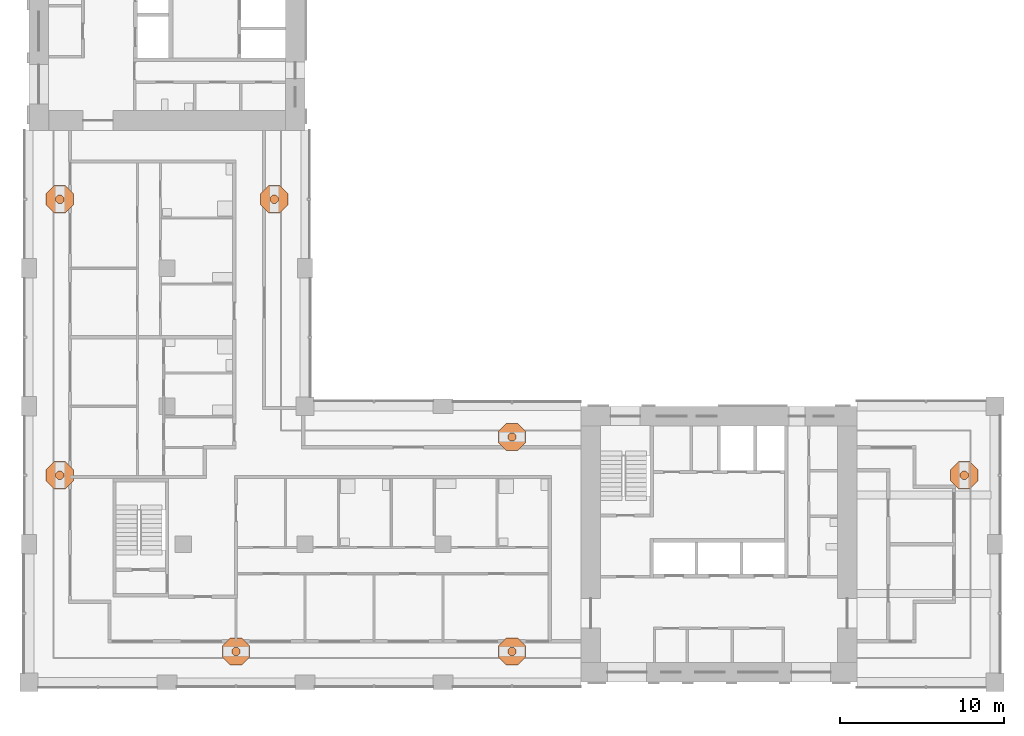
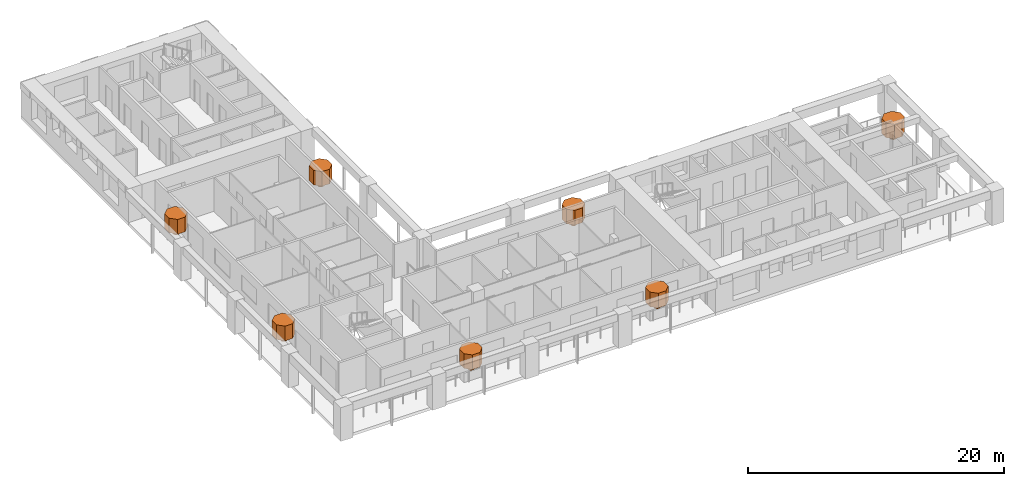
# One storey, part 13 of 13: 14 geographic elements.
"""IFC4 building model written with IfcOpenShell, lengths in metres."""

from ifc_helpers import new_model, si_unit, direction, frame, origin, place, context, subcontext, project, spatial, polyline, outline, extrude, material, element, save


model = new_model("IFC4")

# Units and contexts
model_context = context("Model", 3, precision=1e-05, world=origin(), true_north=direction((0.0, 1.0)))
body_context = subcontext(model_context, "Body", "Model", "MODEL_VIEW")
ifc_project = project(units=[si_unit("LENGTHUNIT", "METRE"), si_unit("AREAUNIT", "SQUARE_METRE"), si_unit("VOLUMEUNIT", "CUBIC_METRE"), si_unit("PLANEANGLEUNIT", "RADIAN"), si_unit("MASSUNIT", "GRAM", prefix="KILO")], contexts=[model_context])

# Site, building, storey
site_placement = place(None, origin())
site = spatial("IfcSite", under=ifc_project, at=site_placement, CompositionType="ELEMENT")
building_placement = place(site_placement, origin())
building = spatial("IfcBuilding", under=site, at=building_placement, Name="Vermilion Gate Residences", CompositionType="ELEMENT")
storey_placement = place(building_placement, frame((0.0, 0.0, 154.699951171875)))
storey = spatial("IfcBuildingStorey", under=building, at=storey_placement, Name="L39", CompositionType="ELEMENT", Elevation=154.699951171875)

# Geographic elements
ifc_material = material(Name="Foliage")
geographic_element_1_placement = place(storey_placement, frame((0.0, 0.0, 0.900146484375)))
element("IfcGeographicElement", 1, at=geographic_element_1_placement, inside=storey, material=ifc_material, Name="Tree (maple)", ObjectType="TREE", PredefinedType="USERDEFINED", context=body_context, shape_type="SweptSolid", body=[
    extrude(outline(polyline([(21.254150390625, 10.380126953125), (21.105224609375, 10.529052734375), (20.894775390625, 10.529052734375), (20.745849609375, 10.380126953125), (20.745849609375, 10.169921875), (20.894775390625, 10.02099609375), (21.105224609375, 10.02099609375), (21.254150390625, 10.169921875), (21.254150390625, 10.380126953125)])), origin(), (0.0, 0.0, 1.0), 0.52001953125),
])
geographic_element_2_placement = place(storey_placement, frame((0.0, 0.0, 1.420166015625)))
element("IfcGeographicElement", 2, at=geographic_element_2_placement, inside=storey, material=ifc_material, Name="Tree crown (maple)", ObjectType="TREE", PredefinedType="USERDEFINED", context=body_context, shape_type="SweptSolid", body=[
    extrude(outline(polyline([(21.83154296875, 10.619384765625), (21.344482421875, 11.1064453125), (20.655517578125, 11.1064453125), (20.16845703125, 10.619384765625), (20.16845703125, 9.9306640625), (20.655517578125, 9.443603515625), (21.344482421875, 9.443603515625), (21.83154296875, 9.9306640625), (21.83154296875, 10.619384765625)])), origin(), (0.0, 0.0, 1.0), 1.39990234375),
])
geographic_element_3_placement = place(storey_placement, frame((0.0, 0.0, 0.900146484375)))
element("IfcGeographicElement", 3, at=geographic_element_3_placement, inside=storey, material=ifc_material, Name="Tree (black pine)", ObjectType="TREE", PredefinedType="USERDEFINED", context=body_context, shape_type="SweptSolid", body=[
    extrude(outline(polyline([(38.05419921875, 10.380126953125), (37.9052734375, 10.529052734375), (37.69482421875, 10.529052734375), (37.5458984375, 10.380126953125), (37.5458984375, 10.169921875), (37.69482421875, 10.02099609375), (37.9052734375, 10.02099609375), (38.05419921875, 10.169921875), (38.05419921875, 10.380126953125)])), origin(), (0.0, 0.0, 1.0), 0.52001953125),
])
geographic_element_4_placement = place(storey_placement, frame((0.0, 0.0, 1.420166015625)))
element("IfcGeographicElement", 4, at=geographic_element_4_placement, inside=storey, material=ifc_material, Name="Tree crown (black pine)", ObjectType="TREE", PredefinedType="USERDEFINED", context=body_context, shape_type="SweptSolid", body=[
    extrude(outline(polyline([(38.631591796875, 10.619384765625), (38.144287109375, 11.1064453125), (37.45556640625, 11.1064453125), (36.968505859375, 10.619384765625), (36.968505859375, 9.9306640625), (37.45556640625, 9.443603515625), (38.144287109375, 9.443603515625), (38.631591796875, 9.9306640625), (38.631591796875, 10.619384765625)])), origin(), (0.0, 0.0, 1.0), 1.39990234375),
])
geographic_element_5_placement = place(storey_placement, frame((0.0, 0.0, 0.900146484375)))
element("IfcGeographicElement", 5, at=geographic_element_5_placement, inside=storey, material=ifc_material, Name="Tree (maple)", ObjectType="TREE", PredefinedType="USERDEFINED", context=body_context, shape_type="SweptSolid", body=[
    extrude(outline(polyline([(65.5791015625, 21.105224609375), (65.43017578125, 21.254150390625), (65.2197265625, 21.254150390625), (65.07080078125, 21.105224609375), (65.07080078125, 20.894775390625), (65.2197265625, 20.745849609375), (65.43017578125, 20.745849609375), (65.5791015625, 20.894775390625), (65.5791015625, 21.105224609375)])), origin(), (0.0, 0.0, 1.0), 0.52001953125),
])
geographic_element_6_placement = place(storey_placement, frame((0.0, 0.0, 1.420166015625)))
element("IfcGeographicElement", 6, at=geographic_element_6_placement, inside=storey, material=ifc_material, Name="Tree crown (maple)", ObjectType="TREE", PredefinedType="USERDEFINED", context=body_context, shape_type="SweptSolid", body=[
    extrude(outline(polyline([(66.156494140625, 21.344482421875), (65.66943359375, 21.83154296875), (64.980712890625, 21.83154296875), (64.493408203125, 21.344482421875), (64.493408203125, 20.655517578125), (64.980712890625, 20.16845703125), (65.66943359375, 20.16845703125), (66.156494140625, 20.655517578125), (66.156494140625, 21.344482421875)])), origin(), (0.0, 0.0, 1.0), 1.39990234375),
])
geographic_element_7_placement = place(storey_placement, frame((0.0, 0.0, 0.900146484375)))
element("IfcGeographicElement", 7, at=geographic_element_7_placement, inside=storey, material=ifc_material, Name="Tree (black pine)", ObjectType="TREE", PredefinedType="USERDEFINED", context=body_context, shape_type="SweptSolid", body=[
    extrude(outline(polyline([(38.05419921875, 23.43017578125), (37.9052734375, 23.5791015625), (37.69482421875, 23.5791015625), (37.5458984375, 23.43017578125), (37.5458984375, 23.2197265625), (37.69482421875, 23.07080078125), (37.9052734375, 23.07080078125), (38.05419921875, 23.2197265625), (38.05419921875, 23.43017578125)])), origin(), (0.0, 0.0, 1.0), 0.52001953125),
])
geographic_element_8_placement = place(storey_placement, frame((0.0, 0.0, 1.420166015625)))
element("IfcGeographicElement", 8, at=geographic_element_8_placement, inside=storey, material=ifc_material, Name="Tree crown (black pine)", ObjectType="TREE", PredefinedType="USERDEFINED", context=body_context, shape_type="SweptSolid", body=[
    extrude(outline(polyline([(38.631591796875, 23.66943359375), (38.144287109375, 24.156494140625), (37.45556640625, 24.156494140625), (36.968505859375, 23.66943359375), (36.968505859375, 22.980712890625), (37.45556640625, 22.493408203125), (38.144287109375, 22.493408203125), (38.631591796875, 22.980712890625), (38.631591796875, 23.66943359375)])), origin(), (0.0, 0.0, 1.0), 1.39990234375),
])
geographic_element_9_placement = place(storey_placement, frame((0.0, 0.0, 0.900146484375)))
element("IfcGeographicElement", 9, at=geographic_element_9_placement, inside=storey, material=ifc_material, Name="Tree (black pine)", ObjectType="TREE", PredefinedType="USERDEFINED", context=body_context, shape_type="SweptSolid", body=[
    extrude(outline(polyline([(23.5791015625, 37.9052734375), (23.43017578125, 38.05419921875), (23.2197265625, 38.05419921875), (23.07080078125, 37.9052734375), (23.07080078125, 37.69482421875), (23.2197265625, 37.5458984375), (23.43017578125, 37.5458984375), (23.5791015625, 37.69482421875), (23.5791015625, 37.9052734375)])), origin(), (0.0, 0.0, 1.0), 0.52001953125),
])
geographic_element_10_placement = place(storey_placement, frame((0.0, 0.0, 1.420166015625)))
element("IfcGeographicElement", 10, at=geographic_element_10_placement, inside=storey, material=ifc_material, Name="Tree crown (black pine)", ObjectType="TREE", PredefinedType="USERDEFINED", context=body_context, shape_type="SweptSolid", body=[
    extrude(outline(polyline([(24.156494140625, 38.144287109375), (23.66943359375, 38.631591796875), (22.980712890625, 38.631591796875), (22.493408203125, 38.144287109375), (22.493408203125, 37.45556640625), (22.980712890625, 36.968505859375), (23.66943359375, 36.968505859375), (24.156494140625, 37.45556640625), (24.156494140625, 38.144287109375)])), origin(), (0.0, 0.0, 1.0), 1.39990234375),
])
geographic_element_11_placement = place(storey_placement, frame((0.0, 0.0, 0.900146484375)))
element("IfcGeographicElement", 11, at=geographic_element_11_placement, inside=storey, material=ifc_material, Name="Tree (maple)", ObjectType="TREE", PredefinedType="USERDEFINED", context=body_context, shape_type="SweptSolid", body=[
    extrude(outline(polyline([(10.529052734375, 21.105224609375), (10.380126953125, 21.254150390625), (10.169921875, 21.254150390625), (10.02099609375, 21.105224609375), (10.02099609375, 20.894775390625), (10.169921875, 20.745849609375), (10.380126953125, 20.745849609375), (10.529052734375, 20.894775390625), (10.529052734375, 21.105224609375)])), origin(), (0.0, 0.0, 1.0), 0.52001953125),
])
geographic_element_12_placement = place(storey_placement, frame((0.0, 0.0, 1.420166015625)))
element("IfcGeographicElement", 12, at=geographic_element_12_placement, inside=storey, material=ifc_material, Name="Tree crown (maple)", ObjectType="TREE", PredefinedType="USERDEFINED", context=body_context, shape_type="SweptSolid", body=[
    extrude(outline(polyline([(11.1064453125, 21.344482421875), (10.619384765625, 21.83154296875), (9.9306640625, 21.83154296875), (9.443603515625, 21.344482421875), (9.443603515625, 20.655517578125), (9.9306640625, 20.16845703125), (10.619384765625, 20.16845703125), (11.1064453125, 20.655517578125), (11.1064453125, 21.344482421875)])), origin(), (0.0, 0.0, 1.0), 1.39990234375),
])
geographic_element_13_placement = place(storey_placement, frame((0.0, 0.0, 0.900146484375)))
element("IfcGeographicElement", 13, at=geographic_element_13_placement, inside=storey, material=ifc_material, Name="Tree (black pine)", ObjectType="TREE", PredefinedType="USERDEFINED", context=body_context, shape_type="SweptSolid", body=[
    extrude(outline(polyline([(10.529052734375, 37.9052734375), (10.380126953125, 38.05419921875), (10.169921875, 38.05419921875), (10.02099609375, 37.9052734375), (10.02099609375, 37.69482421875), (10.169921875, 37.5458984375), (10.380126953125, 37.5458984375), (10.529052734375, 37.69482421875), (10.529052734375, 37.9052734375)])), origin(), (0.0, 0.0, 1.0), 0.52001953125),
])
geographic_element_14_placement = place(storey_placement, frame((0.0, 0.0, 1.420166015625)))
element("IfcGeographicElement", 14, at=geographic_element_14_placement, inside=storey, material=ifc_material, Name="Tree crown (black pine)", ObjectType="TREE", PredefinedType="USERDEFINED", context=body_context, shape_type="SweptSolid", body=[
    extrude(outline(polyline([(11.1064453125, 38.144287109375), (10.619384765625, 38.631591796875), (9.9306640625, 38.631591796875), (9.443603515625, 38.144287109375), (9.443603515625, 37.45556640625), (9.9306640625, 36.968505859375), (10.619384765625, 36.968505859375), (11.1064453125, 37.45556640625), (11.1064453125, 38.144287109375)])), origin(), (0.0, 0.0, 1.0), 1.39990234375),
])

save(model, "model.ifc")
